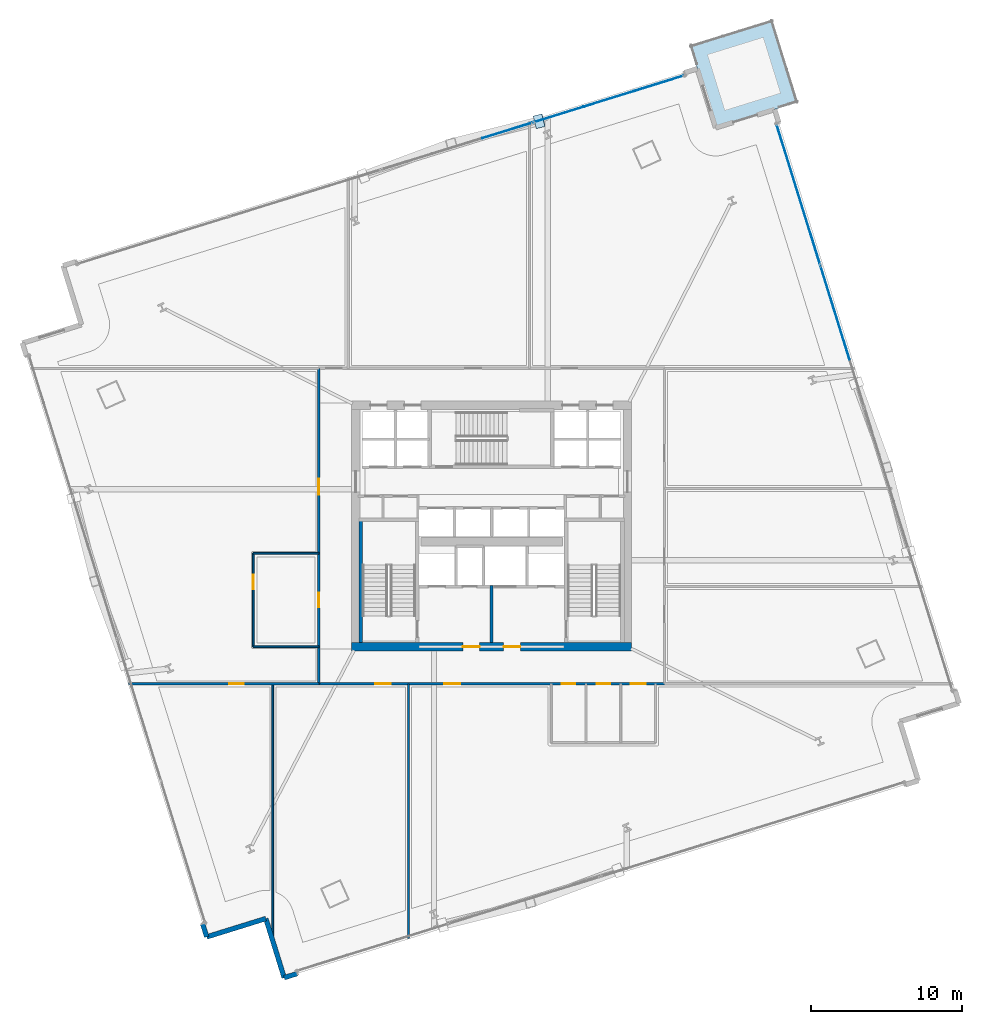
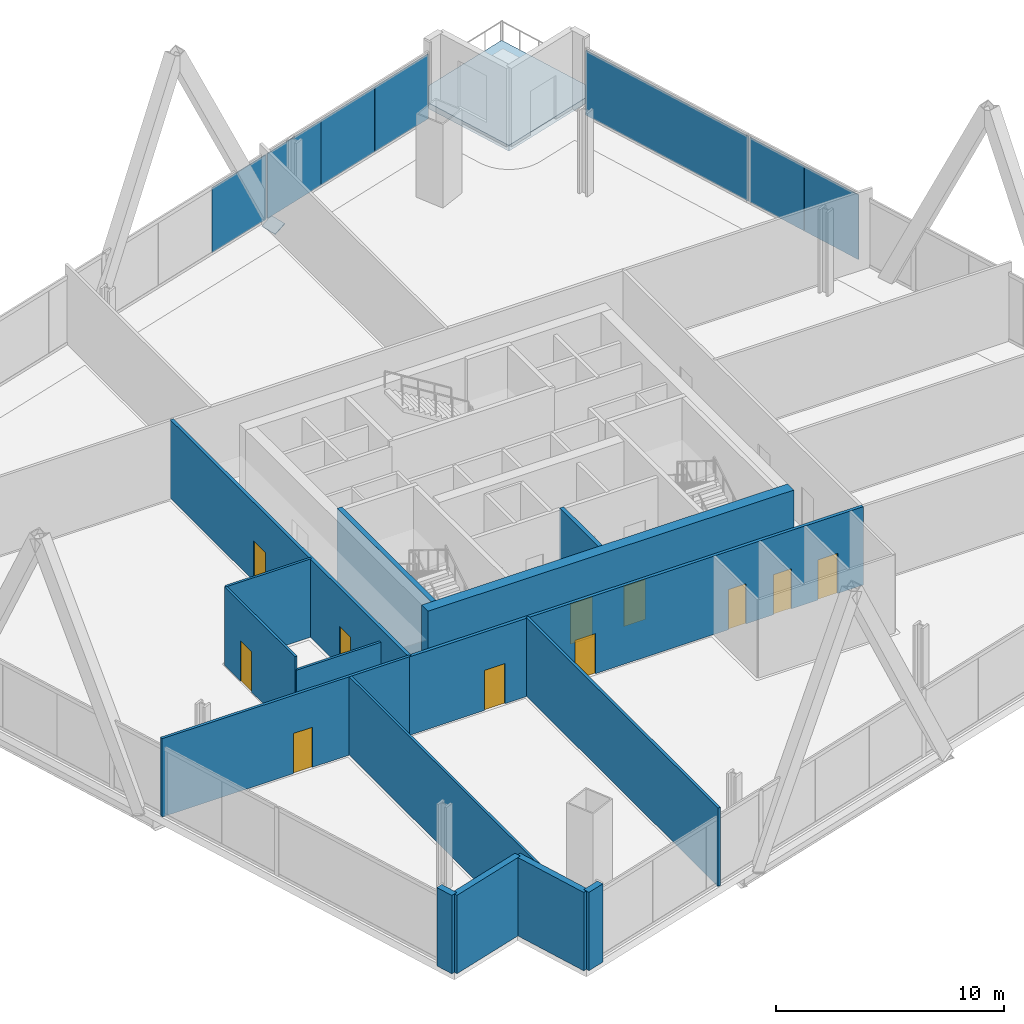
# One storey, part 16 of 26: 15 walls, 11 doors, 8 plates, 1 slab, 11 openings, 2 elements without a shape of their own.
"""IFC4 building model written with IfcOpenShell, lengths in metres."""

from ifc_helpers import new_model, si_unit, direction, frame, frame_2d, origin, origin_2d, place, context, subcontext, project, spatial, polyline, rectangle, outline, extrude, source, transform, mapped, material, layer, layer_set, type_object, element, fill, aggregate, save


model = new_model("IFC4")

# Units and contexts
model_context = context("Model", 3, precision=1e-05, world=origin(), true_north=direction((0.0, 1.0)))
body_context = subcontext(model_context, "Body", "Model", "MODEL_VIEW")
ifc_project = project(units=[si_unit("LENGTHUNIT", "METRE"), si_unit("AREAUNIT", "SQUARE_METRE"), si_unit("VOLUMEUNIT", "CUBIC_METRE"), si_unit("PLANEANGLEUNIT", "RADIAN"), si_unit("MASSUNIT", "GRAM", prefix="KILO")], contexts=[model_context])

# Site, building, storey
site_placement = place(None, origin())
site = spatial("IfcSite", under=ifc_project, at=site_placement, CompositionType="ELEMENT")
building_placement = place(site_placement, origin())
building = spatial("IfcBuilding", under=site, at=building_placement, Name="Haldenkirk Collegiate Tower", CompositionType="ELEMENT")
storey_placement = place(building_placement, frame((0.0, 0.0, 85.949951171875)))
storey = spatial("IfcBuildingStorey", under=building, at=storey_placement, Name="L20", CompositionType="ELEMENT", Elevation=85.949951171875)

# Slab
ifc_material_1 = material(Name="Concrete f'c 40 MPa", Category="concrete")
ifc_layer_1 = layer(ifc_material_1, 0.31005859375)
ifc_layer_set_1 = layer_set([ifc_layer_1], Name="Concrete f'c 40 MPa")
slab_type = type_object("IfcSlabType", Name="SLB-SKYGARDEN-310", PredefinedType="ROOF", material=ifc_layer_set_1)
slab_placement = place(storey_placement, frame((0.0, 0.0, -0.31005859375)))
element("IfcSlab", 1, at=slab_placement, inside=storey, type_object=slab_type, Name="L20 sky-garden planted terrace slab", PredefinedType="ROOF", context=body_context, shape_type="SweptSolid", body=[
    extrude(outline(polyline([(50.84228515625, 52.38818359375), (56.285888671875, 54.07861328125), (54.595703125, 59.522216796875), (49.152099609375, 57.831787109375), (50.84228515625, 52.38818359375)])), origin(), (0.0, 0.0, 1.0), 0.31005859375),
])

# Plate
ifc_material_2 = material(Name="Steel ASTM A572 Grade 50", Category="steel")
ifc_layer_2 = layer(ifc_material_2, 0.034912109375)
ifc_layer_set_2 = layer_set([ifc_layer_2], Name="Steel ASTM A572 Grade 50")
plate_type_1 = type_object("IfcPlateType", Name="PLT-CAP-EXT-760X600", PredefinedType="USERDEFINED", material=ifc_layer_set_2)
shared_shape_1 = source(origin(), body_context, "Body", "SweptSolid", [
    extrude(rectangle(XDim=0.860107421875, YDim=0.659912109375, at=origin_2d()), origin(), (0.0, 0.0, 1.0), 0.034912109375),
])
plate_1_placement = place(storey_placement, frame((39.141845703125, 52.818115234375, -0.417236328125), z_axis=(0.430866063653, 0.107132015827, -0.896034132373), x_axis=(-0.241296181552, 0.970451520051, 1.02324e-07)))
element("IfcPlate", 2, at=plate_1_placement, inside=storey, type_object=plate_type_1, Name="Perimeter Mega Brace Z2 L20-L22 NL end cap plate 1", ObjectType="END CAP PLATE", PredefinedType="USERDEFINED", context=body_context, shape_type="MappedRepresentation", body=[
    mapped(shared_shape_1, transform((0.0, 0.0, 0.0), x_axis=(1.0, 0.0, 0.0), y_axis=(0.0, 1.0, 0.0), z_axis=(0.0, 0.0, 1.0), scale=1.0)),
])

# Curtain wall, plates
ifc_material_3 = material(Name="Anodised architectural bronze aluminium", Category="aluminium")
curtain_wall_type = type_object("IfcCurtainWallType", Name="CW-SYS4-SKYGARDEN", PredefinedType="USERDEFINED", material=ifc_material_3)
curtain_wall_1_placement = place(storey_placement, origin())
curtain_wall_1 = element("IfcCurtainWall", 3, at=curtain_wall_1_placement, inside=storey, type_object=curtain_wall_type, Name="L20 Sky-garden tall bronze curtain wall", ObjectType="UNITISED CURTAIN WALL", PredefinedType="USERDEFINED")
ifc_material_4 = material(Name="Bronze-anodised insulated aluminium spandrel panel", Category="aluminium")
ifc_layer_3 = layer(ifc_material_4, 0.0458984375)
ifc_layer_set_3 = layer_set([ifc_layer_3], Name="Bronze-anodised insulated aluminium spandrel panel")
plate_type_2 = type_object("IfcPlateType", Name="CW-SPD-04", PredefinedType="CURTAIN_PANEL", material=ifc_layer_set_3)
shared_shape_2 = source(origin(), body_context, "Body", "SweptSolid", [
    extrude(rectangle(XDim=3.47412109375, YDim=0.0458984375, at=origin_2d()), origin(), (0.0, 0.0, 1.0), 3.470947265625),
])
plate_2_placement = place(storey_placement, frame((37.043212890625, 52.2080078125, 0.08984375), z_axis=(0.0, 0.0, 1.0), x_axis=(0.955020431539, 0.29654000631, 0.0)))
plate_2 = element("IfcPlate", 4, at=plate_2_placement, type_object=plate_type_2, Name="CW-04 spandrel panel 3.1c", PredefinedType="CURTAIN_PANEL", context=body_context, shape_type="MappedRepresentation", body=[
    mapped(shared_shape_2, transform((0.0, 0.0, 0.0), x_axis=(1.0, 0.0, 0.0), y_axis=(0.0, 1.0, 0.0), z_axis=(0.0, 0.0, 1.0), scale=1.0)),
])
shared_shape_3 = source(origin(), body_context, "Body", "SweptSolid", [
    extrude(rectangle(XDim=3.459228515625, YDim=0.0458984375, at=origin_2d()), origin(), (0.0, 0.0, 1.0), 3.470947265625),
])
plate_3_placement = place(storey_placement, frame((40.439697265625, 53.2626953125, 0.08984375), z_axis=(0.0, 0.0, 1.0), x_axis=(0.955020431539, 0.29654000631, 0.0)))
plate_3 = element("IfcPlate", 5, at=plate_3_placement, type_object=plate_type_2, Name="CW-04 spandrel panel 4.1a", PredefinedType="CURTAIN_PANEL", context=body_context, shape_type="MappedRepresentation", body=[
    mapped(shared_shape_3, transform((0.0, 0.0, 0.0), x_axis=(1.0, 0.0, 0.0), y_axis=(0.0, 1.0, 0.0), z_axis=(0.0, 0.0, 1.0), scale=1.0)),
])
ifc_material_5 = material(Name="Low-E argon triple insulating glass", Category="glass")
ifc_layer_4 = layer(ifc_material_5, 0.0458984375)
ifc_layer_set_4 = layer_set([ifc_layer_4], Name="Low-E argon triple insulating glass")
plate_type_3 = type_object("IfcPlateType", Name="CW-PNL-04", PredefinedType="CURTAIN_PANEL", material=ifc_layer_set_4)
plate_4_placement = place(storey_placement, frame((47.082763671875, 55.325439453125, 0.08984375), z_axis=(0.0, 0.0, 1.0), x_axis=(0.955020431539, 0.29654000631, 0.0)))
plate_4 = element("IfcPlate", 6, at=plate_4_placement, type_object=plate_type_3, Name="CW-04 panel 4.1c", PredefinedType="CURTAIN_PANEL", context=body_context, shape_type="MappedRepresentation", body=[
    mapped(shared_shape_3, transform((0.0, 0.0, 0.0), x_axis=(1.0, 0.0, 0.0), y_axis=(0.0, 1.0, 0.0), z_axis=(0.0, 0.0, 1.0), scale=1.0)),
])
shared_shape_4 = source(origin(), body_context, "Body", "SweptSolid", [
    extrude(rectangle(XDim=3.44677734375, YDim=0.0458984375, at=origin_2d()), origin(), (0.0, 0.0, 1.0), 3.470947265625),
])
plate_5_placement = place(storey_placement, frame((43.76123046875, 54.294189453125, 0.08984375), z_axis=(0.0, 0.0, 1.0), x_axis=(0.955020431539, 0.29654000631, 0.0)))
plate_5 = element("IfcPlate", 7, at=plate_5_placement, type_object=plate_type_3, Name="CW-04 panel 4.1b", PredefinedType="CURTAIN_PANEL", context=body_context, shape_type="MappedRepresentation", body=[
    mapped(shared_shape_4, transform((0.0, 0.0, 0.0), x_axis=(1.0, 0.0, 0.0), y_axis=(0.0, 1.0, 0.0), z_axis=(0.0, 0.0, 1.0), scale=1.0)),
])
aggregate(curtain_wall_1, [plate_2, plate_3, plate_5, plate_4])

curtain_wall_2_placement = place(storey_placement, origin())
curtain_wall_2 = element("IfcCurtainWall", 8, at=curtain_wall_2_placement, inside=storey, type_object=curtain_wall_type, Name="L20 Sky-garden tall bronze curtain wall", ObjectType="UNITISED CURTAIN WALL", PredefinedType="USERDEFINED")
shared_shape_5 = source(origin(), body_context, "Body", "SweptSolid", [
    extrude(rectangle(XDim=9.715087890625, YDim=0.0458984375, at=origin_2d()), origin(), (0.0, 0.0, 1.0), 3.470947265625),
])
plate_6_placement = place(storey_placement, frame((56.320068359375, 47.96630859375, 0.08984375), z_axis=(0.0, 0.0, 1.0), x_axis=(0.296540592082, -0.955020249653, 0.0)))
plate_6 = element("IfcPlate", 9, at=plate_6_placement, type_object=plate_type_3, Name="CW-04 panel 1.1", PredefinedType="CURTAIN_PANEL", context=body_context, shape_type="MappedRepresentation", body=[
    mapped(shared_shape_5, transform((0.0, 0.0, 0.0), x_axis=(1.0, 0.0, 0.0), y_axis=(0.0, 1.0, 0.0), z_axis=(0.0, 0.0, 1.0), scale=1.0)),
])
shared_shape_6 = source(origin(), body_context, "Body", "SweptSolid", [
    extrude(rectangle(XDim=3.24072265625, YDim=0.0458984375, at=origin_2d()), origin(), (0.0, 0.0, 1.0), 3.470947265625),
])
plate_7_placement = place(storey_placement, frame((58.267822265625, 41.693603515625, 0.08984375), z_axis=(0.0, 0.0, 1.0), x_axis=(0.296540592082, -0.955020249653, 0.0)))
plate_7 = element("IfcPlate", 10, at=plate_7_placement, type_object=plate_type_3, Name="CW-04 panel 2.1a", PredefinedType="CURTAIN_PANEL", context=body_context, shape_type="MappedRepresentation", body=[
    mapped(shared_shape_6, transform((0.0, 0.0, 0.0), x_axis=(1.0, 0.0, 0.0), y_axis=(0.0, 1.0, 0.0), z_axis=(0.0, 0.0, 1.0), scale=1.0)),
])
shared_shape_7 = source(origin(), body_context, "Body", "SweptSolid", [
    extrude(rectangle(XDim=3.228271484375, YDim=0.0458984375, at=origin_2d()), origin(), (0.0, 0.0, 1.0), 3.470947265625),
])
plate_8_placement = place(storey_placement, frame((59.234375, 38.580810546875, 0.08984375), z_axis=(0.0, 0.0, 1.0), x_axis=(0.296540592082, -0.955020249653, 0.0)))
plate_8 = element("IfcPlate", 11, at=plate_8_placement, type_object=plate_type_3, Name="CW-04 panel 2.1b", PredefinedType="CURTAIN_PANEL", context=body_context, shape_type="MappedRepresentation", body=[
    mapped(shared_shape_7, transform((0.0, 0.0, 0.0), x_axis=(1.0, 0.0, 0.0), y_axis=(0.0, 1.0, 0.0), z_axis=(0.0, 0.0, 1.0), scale=1.0)),
])
aggregate(curtain_wall_2, [plate_6, plate_7, plate_8])

# Wall, openings, doors
ifc_material_6 = material(Name="Concrete f'c 70 MPa", Category="concrete")
ifc_layer_5 = layer(ifc_material_6, 0.550048828125)
ifc_layer_set_5 = layer_set([ifc_layer_5], Name="Concrete f'c 70 MPa")
wall_type_1 = type_object("IfcWallType", Name="WL-CORE-550", PredefinedType="SHEAR", material=ifc_layer_set_5)
wall_1_placement = place(storey_placement, frame((26.72509765625, 18.0, 0.0), z_axis=(0.0, 0.0, 1.0), x_axis=(1.0, 0.0, 0.0)))
wall_1 = element("IfcWall", 12, at=wall_1_placement, inside=storey, type_object=wall_type_1, Name="L20 central core shear wall S", PredefinedType="SHEAR", context=body_context, shape_type="SweptSolid", body=[
    extrude(rectangle(XDim=18.5498046875, YDim=0.550048828125, at=frame_2d((9.27490234375, 0.0))), origin(), (0.0, 0.0, 1.0), 4.5),
])
opening_1_placement = place(wall_1_placement, frame((7.375, 0.0, 0.0)))
opening_1 = element("IfcOpeningElement", 13, at=opening_1_placement, cuts=wall_1, Name="Opening D-02", PredefinedType="OPENING", context=body_context, shape_type="SweptSolid", body=[
    extrude(rectangle(XDim=1.10009765625, YDim=2.14990234375, at=frame_2d((0.550048828125, 1.074951171875))), frame((0.0, 0.284912109375, 0.0), z_axis=(0.0, -1.0, 0.0), x_axis=(1.0, 0.0, 0.0)), (0.0, 0.0, 1.0), 0.570068359375),
])
opening_2_placement = place(wall_1_placement, frame((10.074951171875, 0.0, 0.0)))
opening_2 = element("IfcOpeningElement", 14, at=opening_2_placement, cuts=wall_1, Name="Opening D-02", PredefinedType="OPENING", context=body_context, shape_type="SweptSolid", body=[
    extrude(rectangle(XDim=1.10009765625, YDim=2.14990234375, at=frame_2d((0.550048828125, 1.074951171875))), frame((0.0, 0.284912109375, 0.0), z_axis=(0.0, -1.0, 0.0), x_axis=(1.0, 0.0, 0.0)), (0.0, 0.0, 1.0), 0.570068359375),
])
ifc_material_7 = material(Name="Galvanized fire-rated hollow steel door", Category="steel")
ifc_layer_6 = layer(ifc_material_7, 0.06005859375)
ifc_layer_set_6 = layer_set([ifc_layer_6], Name="Galvanized fire-rated hollow steel door")
door_type_1 = type_object("IfcDoorType", Name="DR-STAIR-FD90-1100", OperationType="NOTDEFINED", PredefinedType="DOOR", material=ifc_layer_set_6)
door_1_placement = place(opening_1_placement, origin())
door_1 = element("IfcDoor", 15, at=door_1_placement, inside=storey, type_object=door_type_1, Name="L20 Firefighting Lobby 1 door", OperationType="SINGLE_SWING_LEFT", OverallHeight=2.14990234375, OverallWidth=1.10009765625, PredefinedType="DOOR", context=body_context, shape_type="SweptSolid", body=[
    extrude(rectangle(XDim=1.10009765625, YDim=2.14990234375, at=frame_2d((0.550048828125, 1.074951171875))), frame((0.0, 0.02490234375, 0.0), z_axis=(0.0, -1.0, 0.0), x_axis=(1.0, 0.0, 0.0)), (0.0, 0.0, 1.0), 0.050048828125),
])
fill(opening_1, door_1)
door_2_placement = place(opening_2_placement, origin())
door_2 = element("IfcDoor", 16, at=door_2_placement, inside=storey, type_object=door_type_1, Name="L20 Firefighting Lobby 2 door", OperationType="SINGLE_SWING_RIGHT", OverallHeight=2.14990234375, OverallWidth=1.10009765625, PredefinedType="DOOR", context=body_context, shape_type="SweptSolid", body=[
    extrude(rectangle(XDim=1.10009765625, YDim=2.14990234375, at=frame_2d((0.550048828125, 1.074951171875))), frame((0.0, 0.02490234375, 0.0), z_axis=(0.0, -1.0, 0.0), x_axis=(1.0, 0.0, 0.0)), (0.0, 0.0, 1.0), 0.050048828125),
])
fill(opening_2, door_2)

# Walls
ifc_material_8 = material(Name="Precast concrete f'c 40 MPa", Category="concrete")
ifc_layer_7 = layer(ifc_material_8, 0.320068359375)
ifc_layer_set_7 = layer_set([ifc_layer_7], Name="Precast concrete f'c 40 MPa")
wall_type_2 = type_object("IfcWallType", Name="WL-EXT-TWR-320", PredefinedType="STANDARD", material=ifc_layer_set_7)
wall_2_placement = place(storey_placement, frame((23.1142578125, -3.655029296875, 0.0), z_axis=(0.0, 0.0, 1.0), x_axis=(-0.955019103262, -0.296544284053, 0.0)))
element("IfcWall", 17, at=wall_2_placement, inside=storey, type_object=wall_type_2, Name="L20 precast corner pier SR", PredefinedType="STANDARD", context=body_context, shape_type="SweptSolid", body=[
    extrude(rectangle(XDim=0.89990234375, YDim=0.320068359375, at=frame_2d((0.449951171875, 0.0))), origin(), (0.0, 0.0, 1.0), 4.199951171875),
])
wall_3_placement = place(storey_placement, frame((17.123291015625, -1.22216796875, 0.0), z_axis=(0.0, 0.0, 1.0), x_axis=(-0.296467465889, 0.955042952788, 0.0)))
element("IfcWall", 18, at=wall_3_placement, inside=storey, type_object=wall_type_2, Name="L20 precast corner pier WL", PredefinedType="STANDARD", context=body_context, shape_type="SweptSolid", body=[
    extrude(rectangle(XDim=0.900146484375, YDim=0.320068359375, at=frame_2d((0.4501953125, 0.0))), origin(), (0.0, 0.0, 1.0), 4.199951171875),
])
wall_4_placement = place(storey_placement, frame((21.0390625, -0.00634765625, 0.0), z_axis=(0.0, 0.0, 1.0), x_axis=(-0.955024023145, -0.296528439134, 0.0)))
element("IfcWall", 19, at=wall_4_placement, inside=storey, type_object=wall_type_2, Name="L20 bronze precast notch wall 11", PredefinedType="STANDARD", context=body_context, shape_type="SweptSolid", body=[
    extrude(rectangle(XDim=4.10009765625, YDim=0.320068359375, at=frame_2d((2.050048828125, 0.0))), origin(), (0.0, 0.0, 1.0), 4.199951171875),
])
wall_5_placement = place(storey_placement, frame((22.2548828125, -3.921875, 0.0), z_axis=(0.0, 0.0, 1.0), x_axis=(-0.296545302379, 0.95501878706, 0.0)))
element("IfcWall", 20, at=wall_5_placement, inside=storey, type_object=wall_type_2, Name="L20 bronze precast notch wall 12", PredefinedType="STANDARD", context=body_context, shape_type="SweptSolid", body=[
    extrude(rectangle(XDim=4.099853515625, YDim=0.320068359375, at=frame_2d((2.0498046875, 0.0))), origin(), (0.0, 0.0, 1.0), 4.199951171875),
])

# Wall, openings, doors
ifc_material_9 = material(Name="Acoustic fire-rated gypsum partition", Category="concrete")
ifc_layer_8 = layer(ifc_material_9, 0.159912109375)
ifc_layer_set_8 = layer_set([ifc_layer_8], Name="Acoustic fire-rated gypsum partition")
wall_type_3 = type_object("IfcWallType", Name="WL-INT-CORR-160", PredefinedType="PARTITIONING", material=ifc_layer_set_8)
wall_6_placement = place(storey_placement, frame((24.5, 15.550048828125, 0.0), z_axis=(0.0, 0.0, 1.0), x_axis=(1.0, 0.0, 0.0)))
wall_6 = element("IfcWall", 21, at=wall_6_placement, inside=storey, type_object=wall_type_3, Name="L20 interior partition IW-L20-CS", PredefinedType="PARTITIONING", context=body_context, shape_type="SweptSolid", body=[
    extrude(rectangle(XDim=23.0, YDim=0.159912109375, at=frame_2d((11.5, 0.0))), origin(), (0.0, 0.0, 1.0), 4.199951171875),
])
opening_3_placement = place(wall_6_placement, frame((16.14990234375, 0.0, 0.0)))
opening_3 = element("IfcOpeningElement", 22, at=opening_3_placement, cuts=wall_6, Name="Opening D-13", PredefinedType="OPENING", context=body_context, shape_type="SweptSolid", body=[
    extrude(rectangle(XDim=0.89990234375, YDim=2.14990234375, at=frame_2d((0.449951171875, 1.074951171875))), frame((0.0, 0.08984375, 0.0), z_axis=(0.0, -1.0, 0.0), x_axis=(1.0, 0.0, 0.0)), (0.0, 0.0, 1.0), 0.179931640625),
])
opening_4_placement = place(wall_6_placement, frame((18.449951171875, 0.0, 0.0)))
opening_4 = element("IfcOpeningElement", 23, at=opening_4_placement, cuts=wall_6, Name="Opening D-13", PredefinedType="OPENING", context=body_context, shape_type="SweptSolid", body=[
    extrude(rectangle(XDim=0.89990234375, YDim=2.14990234375, at=frame_2d((0.449951171875, 1.074951171875))), frame((0.0, 0.08984375, 0.0), z_axis=(0.0, -1.0, 0.0), x_axis=(1.0, 0.0, 0.0)), (0.0, 0.0, 1.0), 0.179931640625),
])
opening_5_placement = place(wall_6_placement, frame((20.699951171875, 0.0, 0.0)))
opening_5 = element("IfcOpeningElement", 24, at=opening_5_placement, cuts=wall_6, Name="Opening D-14", PredefinedType="OPENING", context=body_context, shape_type="SweptSolid", body=[
    extrude(rectangle(XDim=1.0, YDim=2.14990234375, at=frame_2d((0.5, 1.074951171875))), frame((0.0, 0.08984375, 0.0), z_axis=(0.0, -1.0, 0.0), x_axis=(1.0, 0.0, 0.0)), (0.0, 0.0, 1.0), 0.179931640625),
])
opening_6_placement = place(wall_6_placement, frame((3.781005859375, 0.0, 0.0)))
opening_6 = element("IfcOpeningElement", 25, at=opening_6_placement, cuts=wall_6, Name="Opening D-09", PredefinedType="OPENING", context=body_context, shape_type="SweptSolid", body=[
    extrude(rectangle(XDim=1.050048828125, YDim=2.14990234375, at=frame_2d((0.52490234375, 1.074951171875))), frame((0.0, 0.08984375, 0.0), z_axis=(0.0, -1.0, 0.0), x_axis=(1.0, 0.0, 0.0)), (0.0, 0.0, 1.0), 0.179931640625),
])
opening_7_placement = place(wall_6_placement, frame((8.373046875, 0.0, 0.0)))
opening_7 = element("IfcOpeningElement", 26, at=opening_7_placement, cuts=wall_6, Name="Opening D-09", PredefinedType="OPENING", context=body_context, shape_type="SweptSolid", body=[
    extrude(rectangle(XDim=1.050048828125, YDim=2.14990234375, at=frame_2d((0.52490234375, 1.074951171875))), frame((0.0, 0.08984375, 0.0), z_axis=(0.0, -1.0, 0.0), x_axis=(1.0, 0.0, 0.0)), (0.0, 0.0, 1.0), 0.179931640625),
])
ifc_material_10 = material(Name="Solid-core architectural oak fire door", Category="wood")
ifc_layer_9 = layer(ifc_material_10, 0.06005859375)
ifc_layer_set_9 = layer_set([ifc_layer_9], Name="Solid-core architectural oak fire door")
door_type_2 = type_object("IfcDoorType", Name="DR-INT-ACC-1000", OperationType="NOTDEFINED", PredefinedType="DOOR", material=ifc_layer_set_9)
door_3_placement = place(opening_5_placement, origin())
door_3 = element("IfcDoor", 27, at=door_3_placement, inside=storey, type_object=door_type_2, Name="L20 Accessible WC door", OperationType="SINGLE_SWING_RIGHT", OverallHeight=2.14990234375, OverallWidth=1.0, PredefinedType="DOOR", context=body_context, shape_type="SweptSolid", body=[
    extrude(rectangle(XDim=1.0, YDim=2.14990234375, at=frame_2d((0.5, 1.074951171875))), frame((0.0, 0.02490234375, 0.0), z_axis=(0.0, -1.0, 0.0), x_axis=(1.0, 0.0, 0.0)), (0.0, 0.0, 1.0), 0.050048828125),
])
fill(opening_5, door_3)
ifc_layer_10 = layer(ifc_material_10, 0.06005859375)
ifc_layer_set_10 = layer_set([ifc_layer_10], Name="Solid-core architectural oak fire door")
door_type_3 = type_object("IfcDoorType", Name="DR-INT-FD60-1050", OperationType="NOTDEFINED", PredefinedType="DOOR", material=ifc_layer_set_10)
door_4_placement = place(opening_6_placement, origin())
door_4 = element("IfcDoor", 28, at=door_4_placement, inside=storey, type_object=door_type_3, Name="L20 Academic Counseling Clinic 2 door", OperationType="SINGLE_SWING_RIGHT", OverallHeight=2.14990234375, OverallWidth=1.050048828125, PredefinedType="DOOR", context=body_context, shape_type="SweptSolid", body=[
    extrude(rectangle(XDim=1.050048828125, YDim=2.14990234375, at=frame_2d((0.52490234375, 1.074951171875))), frame((0.0, 0.02490234375, 0.0), z_axis=(0.0, -1.0, 0.0), x_axis=(1.0, 0.0, 0.0)), (0.0, 0.0, 1.0), 0.050048828125),
])
fill(opening_6, door_4)
door_5_placement = place(opening_7_placement, origin())
door_5 = element("IfcDoor", 29, at=door_5_placement, inside=storey, type_object=door_type_3, Name="L20 Ergonomics Clinic 3 door", OperationType="SINGLE_SWING_LEFT", OverallHeight=2.14990234375, OverallWidth=1.050048828125, PredefinedType="DOOR", context=body_context, shape_type="SweptSolid", body=[
    extrude(rectangle(XDim=1.050048828125, YDim=2.14990234375, at=frame_2d((0.52490234375, 1.074951171875))), frame((0.0, 0.02490234375, 0.0), z_axis=(0.0, -1.0, 0.0), x_axis=(1.0, 0.0, 0.0)), (0.0, 0.0, 1.0), 0.050048828125),
])
fill(opening_7, door_5)
ifc_layer_11 = layer(ifc_material_10, 0.06005859375)
ifc_layer_set_11 = layer_set([ifc_layer_11], Name="Solid-core architectural oak fire door")
door_type_4 = type_object("IfcDoorType", Name="DR-INT-STD-900", OperationType="NOTDEFINED", PredefinedType="DOOR", material=ifc_layer_set_11)
door_6_placement = place(opening_3_placement, origin())
door_6 = element("IfcDoor", 30, at=door_6_placement, inside=storey, type_object=door_type_4, Name="L20 Male WC door", OperationType="SINGLE_SWING_RIGHT", OverallHeight=2.14990234375, OverallWidth=0.89990234375, PredefinedType="DOOR", context=body_context, shape_type="SweptSolid", body=[
    extrude(rectangle(XDim=0.89990234375, YDim=2.14990234375, at=frame_2d((0.449951171875, 1.074951171875))), frame((0.0, 0.02490234375, 0.0), z_axis=(0.0, -1.0, 0.0), x_axis=(1.0, 0.0, 0.0)), (0.0, 0.0, 1.0), 0.050048828125),
])
fill(opening_3, door_6)
door_7_placement = place(opening_4_placement, origin())
door_7 = element("IfcDoor", 31, at=door_7_placement, inside=storey, type_object=door_type_4, Name="L20 Female WC door", OperationType="SINGLE_SWING_LEFT", OverallHeight=2.14990234375, OverallWidth=0.89990234375, PredefinedType="DOOR", context=body_context, shape_type="SweptSolid", body=[
    extrude(rectangle(XDim=0.89990234375, YDim=2.14990234375, at=frame_2d((0.449951171875, 1.074951171875))), frame((0.0, 0.02490234375, 0.0), z_axis=(0.0, -1.0, 0.0), x_axis=(1.0, 0.0, 0.0)), (0.0, 0.0, 1.0), 0.050048828125),
])
fill(opening_4, door_7)

wall_7_placement = place(storey_placement, frame((24.550048828125, 15.550048828125, 0.0), z_axis=(0.0, 0.0, 1.0), x_axis=(0.0, 1.0, 0.0)))
wall_7 = element("IfcWall", 32, at=wall_7_placement, inside=storey, type_object=wall_type_3, Name="L20 interior partition IW-L20-CW", PredefinedType="PARTITIONING", context=body_context, shape_type="SweptSolid", body=[
    extrude(rectangle(XDim=20.89990234375, YDim=0.159912109375, at=frame_2d((10.449951171875, 0.0))), origin(), (0.0, 0.0, 1.0), 4.199951171875),
])
opening_8_placement = place(wall_7_placement, frame((5.074951171875, 0.0, 0.0)))
opening_8 = element("IfcOpeningElement", 33, at=opening_8_placement, cuts=wall_7, Name="Opening D-10", PredefinedType="OPENING", context=body_context, shape_type="SweptSolid", body=[
    extrude(rectangle(XDim=0.949951171875, YDim=2.14990234375, at=frame_2d((0.47509765625, 1.074951171875))), frame((0.0, 0.08984375, 0.0), z_axis=(0.0, -1.0, 0.0), x_axis=(1.0, 0.0, 0.0)), (0.0, 0.0, 1.0), 0.179931640625),
])
opening_9_placement = place(wall_7_placement, frame((12.52392578125, 0.0, 0.0)))
opening_9 = element("IfcOpeningElement", 34, at=opening_9_placement, cuts=wall_7, Name="Opening D-09", PredefinedType="OPENING", context=body_context, shape_type="SweptSolid", body=[
    extrude(rectangle(XDim=1.050048828125, YDim=2.14990234375, at=frame_2d((0.52490234375, 1.074951171875))), frame((0.0, 0.08984375, 0.0), z_axis=(0.0, -1.0, 0.0), x_axis=(1.0, 0.0, 0.0)), (0.0, 0.0, 1.0), 0.179931640625),
])
door_8_placement = place(opening_9_placement, origin())
door_8 = element("IfcDoor", 35, at=door_8_placement, inside=storey, type_object=door_type_3, Name="L20 Student Wellness Clinic 7 door", OperationType="SINGLE_SWING_LEFT", OverallHeight=2.14990234375, OverallWidth=1.050048828125, PredefinedType="DOOR", context=body_context, shape_type="SweptSolid", body=[
    extrude(rectangle(XDim=1.050048828125, YDim=2.14990234375, at=frame_2d((0.52490234375, 1.074951171875))), frame((0.0, 0.02490234375, 0.0), z_axis=(0.0, -1.0, 0.0), x_axis=(1.0, 0.0, 0.0)), (0.0, 0.0, 1.0), 0.050048828125),
])
fill(opening_9, door_8)
ifc_layer_12 = layer(ifc_material_10, 0.06005859375)
ifc_layer_set_12 = layer_set([ifc_layer_12], Name="Solid-core architectural oak fire door")
door_type_5 = type_object("IfcDoorType", Name="DR-INT-FD60-950", OperationType="NOTDEFINED", PredefinedType="DOOR", material=ifc_layer_set_12)
door_9_placement = place(opening_8_placement, origin())
door_9 = element("IfcDoor", 36, at=door_9_placement, inside=storey, type_object=door_type_5, Name="L20 West Faculty Tutorial Pod corridor door", OperationType="SINGLE_SWING_LEFT", OverallHeight=2.14990234375, OverallWidth=0.949951171875, PredefinedType="DOOR", context=body_context, shape_type="SweptSolid", body=[
    extrude(rectangle(XDim=0.949951171875, YDim=2.14990234375, at=frame_2d((0.47509765625, 1.074951171875))), frame((0.0, 0.02490234375, 0.0), z_axis=(0.0, -1.0, 0.0), x_axis=(1.0, 0.0, 0.0)), (0.0, 0.0, 1.0), 0.050048828125),
])
fill(opening_8, door_9)

# Wall, opening, door
ifc_layer_13 = layer(ifc_material_9, 0.139892578125)
ifc_layer_set_13 = layer_set([ifc_layer_13], Name="Acoustic fire-rated gypsum partition")
wall_type_4 = type_object("IfcWallType", Name="WL-INT-DIV-140", PredefinedType="PARTITIONING", material=ifc_layer_set_13)
wall_8_placement = place(storey_placement, frame((11.95751953125, 15.550048828125, 0.0), z_axis=(0.0, 0.0, 1.0), x_axis=(1.0, 0.0, 0.0)))
wall_8 = element("IfcWall", 37, at=wall_8_placement, inside=storey, type_object=wall_type_4, Name="L20 interior partition IW-L20-BWS", PredefinedType="PARTITIONING", context=body_context, shape_type="SweptSolid", body=[
    extrude(rectangle(XDim=12.592529296875, YDim=0.139892578125, at=frame_2d((6.29638671875, 0.0))), origin(), (0.0, 0.0, 1.0), 4.199951171875),
])
opening_10_placement = place(wall_8_placement, frame((6.66259765625, 0.0, 0.0)))
opening_10 = element("IfcOpeningElement", 38, at=opening_10_placement, cuts=wall_8, Name="Opening D-12", PredefinedType="OPENING", context=body_context, shape_type="SweptSolid", body=[
    extrude(rectangle(XDim=0.949951171875, YDim=2.14990234375, at=frame_2d((0.47509765625, 1.074951171875))), frame((0.0, 0.079833984375, 0.0), z_axis=(0.0, -1.0, 0.0), x_axis=(1.0, 0.0, 0.0)), (0.0, 0.0, 1.0), 0.159912109375),
])
ifc_layer_14 = layer(ifc_material_10, 0.06005859375)
ifc_layer_set_14 = layer_set([ifc_layer_14], Name="Solid-core architectural oak fire door")
door_type_6 = type_object("IfcDoorType", Name="DR-INT-STD-950", OperationType="NOTDEFINED", PredefinedType="DOOR", material=ifc_layer_set_14)
door_10_placement = place(opening_10_placement, origin())
door_10 = element("IfcDoor", 39, at=door_10_placement, inside=storey, type_object=door_type_6, Name="L20 Sky-Garden Botanical Conservatory door", OperationType="SINGLE_SWING_LEFT", OverallHeight=2.14990234375, OverallWidth=0.949951171875, PredefinedType="DOOR", context=body_context, shape_type="SweptSolid", body=[
    extrude(rectangle(XDim=0.949951171875, YDim=2.14990234375, at=frame_2d((0.47509765625, 1.074951171875))), frame((0.0, 0.02490234375, 0.0), z_axis=(0.0, -1.0, 0.0), x_axis=(1.0, 0.0, 0.0)), (0.0, 0.0, 1.0), 0.050048828125),
])
fill(opening_10, door_10)

# Walls
wall_9_placement = place(storey_placement, frame((30.5, -1.31982421875, 0.0), z_axis=(0.0, 0.0, 1.0), x_axis=(0.0, 1.0, 0.0)))
element("IfcWall", 40, at=wall_9_placement, inside=storey, type_object=wall_type_4, Name="L20 interior partition IW-L20-RS2", PredefinedType="PARTITIONING", context=body_context, shape_type="SweptSolid", body=[
    extrude(rectangle(XDim=16.869873046875, YDim=0.139892578125, at=frame_2d((8.43505859375, 0.0))), origin(), (0.0, 0.0, 1.0), 4.199951171875),
])
ifc_material_11 = material(Name="Fire-rated gypsum shaftboard assembly", Category="concrete")
ifc_layer_15 = layer(ifc_material_11, 0.199951171875)
ifc_layer_set_15 = layer_set([ifc_layer_15], Name="Fire-rated gypsum shaftboard assembly")
wall_type_5 = type_object("IfcWallType", Name="WL-INT-SHAFT-200", PredefinedType="PARTITIONING", material=ifc_layer_set_15)
wall_10_placement = place(storey_placement, frame((36.0, 18.280029296875, 0.0), z_axis=(0.0, 0.0, 1.0), x_axis=(0.0, 1.0, 0.0)))
element("IfcWall", 41, at=wall_10_placement, inside=storey, type_object=wall_type_5, Name="L20 interior partition IW-L20-FFLM", PredefinedType="PARTITIONING", context=body_context, shape_type="SweptSolid", body=[
    extrude(rectangle(XDim=3.77001953125, YDim=0.199951171875, at=frame_2d((1.885009765625, 0.0))), origin(), (0.0, 0.0, 1.0), 4.199951171875),
])
ifc_layer_16 = layer(ifc_material_9, 0.1201171875)
ifc_layer_set_16 = layer_set([ifc_layer_16], Name="Acoustic fire-rated gypsum partition")
wall_type_6 = type_object("IfcWallType", Name="WL-INT-WET-120", PredefinedType="PARTITIONING", material=ifc_layer_set_16)
wall_11_placement = place(storey_placement, frame((21.5, -1.356201171875, 0.0), z_axis=(0.0, 0.0, 1.0), x_axis=(0.0, 1.0, 0.0)))
element("IfcWall", 42, at=wall_11_placement, inside=storey, type_object=wall_type_6, Name="L20 interior partition IW-L20-RS1", PredefinedType="PARTITIONING", context=body_context, shape_type="SweptSolid", body=[
    extrude(rectangle(XDim=16.90625, YDim=0.1201171875, at=frame_2d((8.453125, 0.0))), origin(), (0.0, 0.0, 1.0), 4.199951171875),
])
wall_12_placement = place(storey_placement, frame((20.199951171875, 18.0, 0.0), z_axis=(0.0, 0.0, 1.0), x_axis=(1.0, 0.0, 0.0)))
element("IfcWall", 43, at=wall_12_placement, inside=storey, type_object=wall_type_6, Name="L20 interior partition IW-L20-SUBWS", PredefinedType="PARTITIONING", context=body_context, shape_type="SweptSolid", body=[
    extrude(rectangle(XDim=4.35009765625, YDim=0.1201171875, at=frame_2d((2.175048828125, 0.0))), origin(), (0.0, 0.0, 1.0), 3.4990234375),
])

# Wall, opening, door
wall_13_placement = place(storey_placement, frame((20.199951171875, 18.0, 0.0), z_axis=(0.0, 0.0, 1.0), x_axis=(0.0, 1.0, 0.0)))
wall_13 = element("IfcWall", 44, at=wall_13_placement, inside=storey, type_object=wall_type_6, Name="L20 interior partition IW-L20-SUBW", PredefinedType="PARTITIONING", context=body_context, shape_type="SweptSolid", body=[
    extrude(rectangle(XDim=6.199951171875, YDim=0.1201171875, at=frame_2d((3.10009765625, 0.0))), origin(), (0.0, 0.0, 1.0), 4.199951171875),
])
opening_11_placement = place(wall_13_placement, frame((3.824951171875, 0.0, 0.0)))
opening_11 = element("IfcOpeningElement", 45, at=opening_11_placement, cuts=wall_13, Name="Opening D-12", PredefinedType="OPENING", context=body_context, shape_type="SweptSolid", body=[
    extrude(rectangle(XDim=0.949951171875, YDim=2.14990234375, at=frame_2d((0.47509765625, 1.074951171875))), frame((0.0, 0.070068359375, 0.0), z_axis=(0.0, -1.0, 0.0), x_axis=(1.0, 0.0, 0.0)), (0.0, 0.0, 1.0), 0.14013671875),
])
door_11_placement = place(opening_11_placement, origin())
door_11 = element("IfcDoor", 46, at=door_11_placement, inside=storey, type_object=door_type_6, Name="L20 West Faculty Tutorial Pod suite door", OperationType="SINGLE_SWING_RIGHT", OverallHeight=2.14990234375, OverallWidth=0.949951171875, PredefinedType="DOOR", context=body_context, shape_type="SweptSolid", body=[
    extrude(rectangle(XDim=0.949951171875, YDim=2.14990234375, at=frame_2d((0.47509765625, 1.074951171875))), frame((0.0, 0.02490234375, 0.0), z_axis=(0.0, -1.0, 0.0), x_axis=(1.0, 0.0, 0.0)), (0.0, 0.0, 1.0), 0.050048828125),
])
fill(opening_11, door_11)

# Walls
wall_14_placement = place(storey_placement, frame((20.199951171875, 24.199951171875, 0.0), z_axis=(0.0, 0.0, 1.0), x_axis=(1.0, 0.0, 0.0)))
element("IfcWall", 47, at=wall_14_placement, inside=storey, type_object=wall_type_6, Name="L20 interior partition IW-L20-SUBWN", PredefinedType="PARTITIONING", context=body_context, shape_type="SweptSolid", body=[
    extrude(rectangle(XDim=4.35009765625, YDim=0.1201171875, at=frame_2d((2.175048828125, 0.0))), origin(), (0.0, 0.0, 1.0), 4.199951171875),
])
ifc_material_12 = material(Name="Concrete f'c 55 MPa", Category="concrete")
ifc_layer_17 = layer(ifc_material_12, 0.239990234375)
ifc_layer_set_17 = layer_set([ifc_layer_17], Name="Concrete f'c 55 MPa")
wall_type_7 = type_object("IfcWallType", Name="WL-SHAFT-240", PredefinedType="SHEAR", material=ifc_layer_set_17)
wall_15_placement = place(storey_placement, frame((27.330078125, 18.280029296875, 0.0), z_axis=(0.0, 0.0, 1.0), x_axis=(0.0, 1.0, 0.0)))
element("IfcWall", 48, at=wall_15_placement, inside=storey, type_object=wall_type_7, Name="L20 stair shaft shear wall SW-L20-ST1W", PredefinedType="SHEAR", context=body_context, shape_type="SweptSolid", body=[
    extrude(rectangle(XDim=8.260009765625, YDim=0.239990234375, at=frame_2d((4.1298828125, 0.0))), origin(), (0.0, 0.0, 1.0), 4.5),
])

save(model, "model.ifc")
